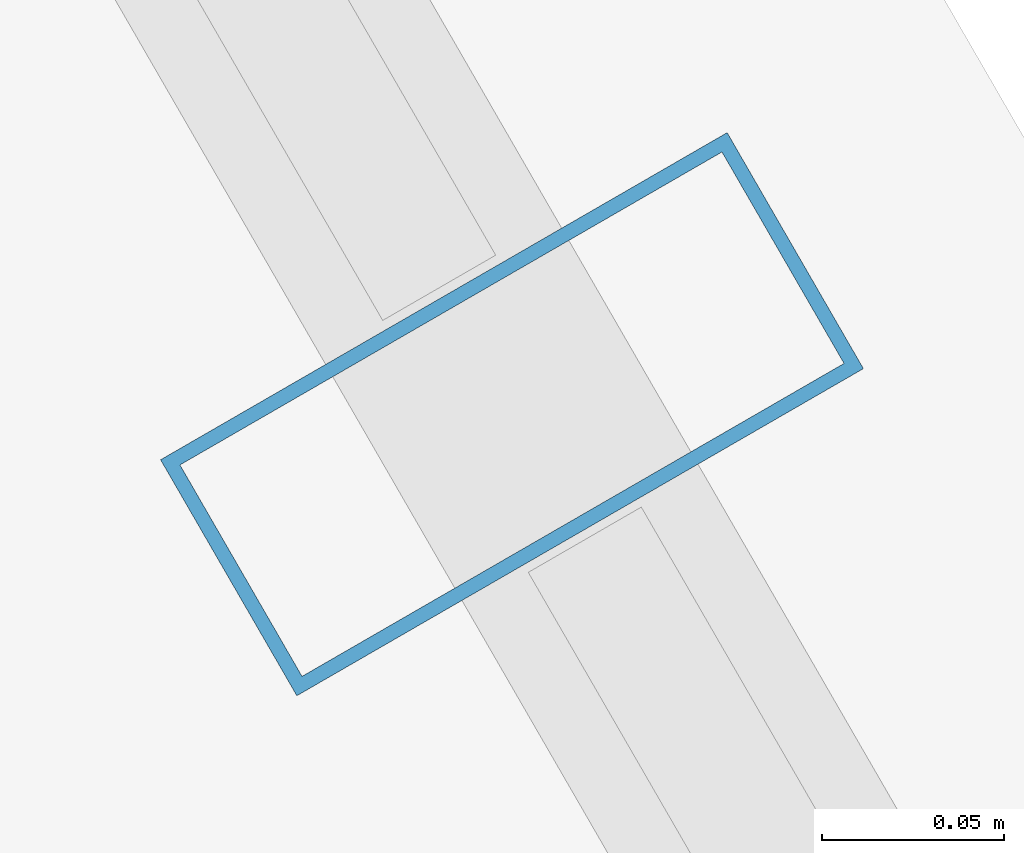
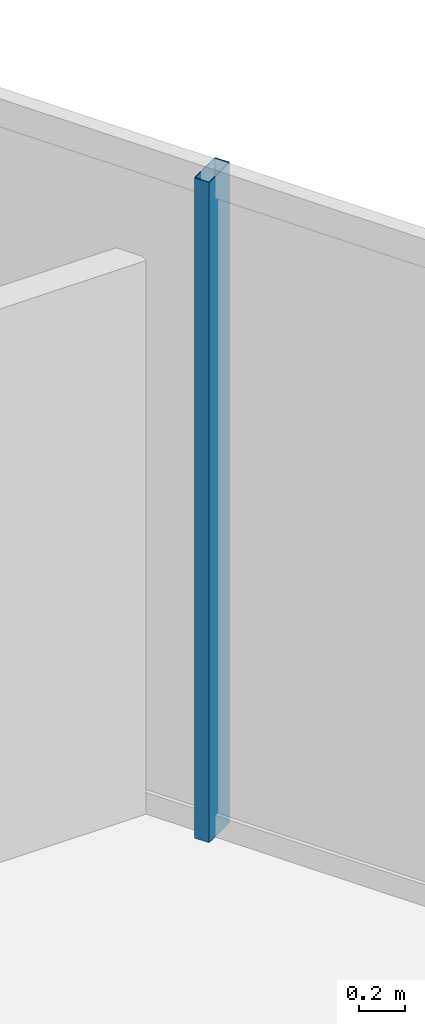
# One storey, part 15 of 34: 1 member, 1 element without a shape of its own.
"""IFC4 building model written with IfcOpenShell, lengths in metres."""

from ifc_helpers import new_model, si_unit, direction, frame, origin, origin_2d, place, context, subcontext, project, spatial, hollow_rectangle, extrude, material, layer, layer_set, material_profile, profile_set, type_object, element, aggregate, save


model = new_model("IFC4")

# Units and contexts
model_context = context("Model", 3, precision=1e-05, world=origin(), true_north=direction((0.0, 1.0)))
body_context = subcontext(model_context, "Body", "Model", "MODEL_VIEW")
ifc_project = project(units=[si_unit("LENGTHUNIT", "METRE"), si_unit("AREAUNIT", "SQUARE_METRE"), si_unit("VOLUMEUNIT", "CUBIC_METRE"), si_unit("PLANEANGLEUNIT", "RADIAN"), si_unit("MASSUNIT", "GRAM", prefix="KILO")], contexts=[model_context])

# Site, building, storey
site_placement = place(None, origin())
site = spatial("IfcSite", under=ifc_project, at=site_placement, CompositionType="ELEMENT")
building_placement = place(site_placement, origin())
building = spatial("IfcBuilding", under=site, at=building_placement, Name="Ndaravel Arena Tower", CompositionType="ELEMENT")
storey_placement = place(building_placement, frame((0.0, 0.0, 199.199951171875)))
storey = spatial("IfcBuildingStorey", under=building, at=storey_placement, Name="L48", CompositionType="ELEMENT", Elevation=199.199951171875)

# Curtain wall, member
ifc_material_1 = material(Name="Aluminium", Category="aluminium")
ifc_layer = layer(ifc_material_1, 0.179931640625)
ifc_layer_set = layer_set([ifc_layer], Name="Aluminium")
curtain_wall_type = type_object("IfcCurtainWallType", Name="CW-SYS-03", PredefinedType="NOTDEFINED", material=ifc_layer_set)
curtain_wall_placement = place(storey_placement, origin())
curtain_wall = element("IfcCurtainWall", 1, at=curtain_wall_placement, inside=storey, type_object=curtain_wall_type, Name="L48 Faceted Crystal Curtain Wall CW-L48-E03", PredefinedType="NOTDEFINED")
ifc_material_2 = material(Name="Aluminium", Category="aluminium")
ifc_material_profile = material_profile(ifc_material_2, hollow_rectangle(XDim=0.074951171875, YDim=0.179931640625, WallThickness=0.00390625, at=origin_2d()), Name="CW MULLION 75x180x4")
ifc_profile_set = profile_set([ifc_material_profile], Name="Aluminium")
member_type = type_object("IfcMemberType", Name="MEM-CW-MUL180", PredefinedType="MULLION", material=ifc_profile_set)
member_placement = place(storey_placement, frame((63.5263671875, 16.67529296875, 0.0), z_axis=(0.0, 0.0, 1.0), x_axis=(-0.5, 0.866025403784, 0.0)))
member = element("IfcMember", 2, at=member_placement, type_object=member_type, Name="CW-L48-E03 Mullion 01", PredefinedType="MULLION", context=body_context, shape_type="SweptSolid", body=[
    extrude(hollow_rectangle(XDim=0.074951171875, YDim=0.179931640625, WallThickness=0.00390625, at=origin_2d()), origin(), (0.0, 0.0, 1.0), 3.52001953125),
])
aggregate(curtain_wall, [member])

save(model, "model.ifc")
